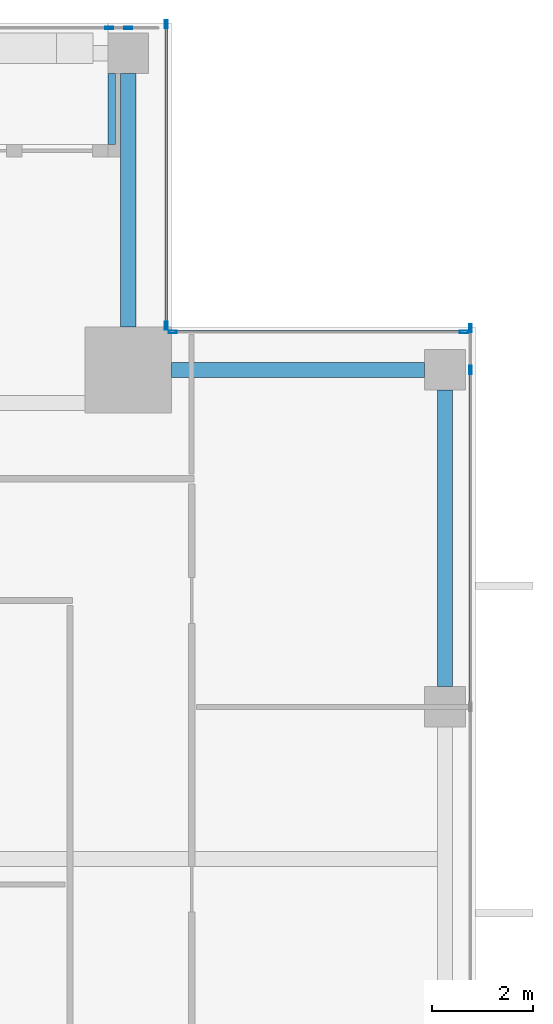
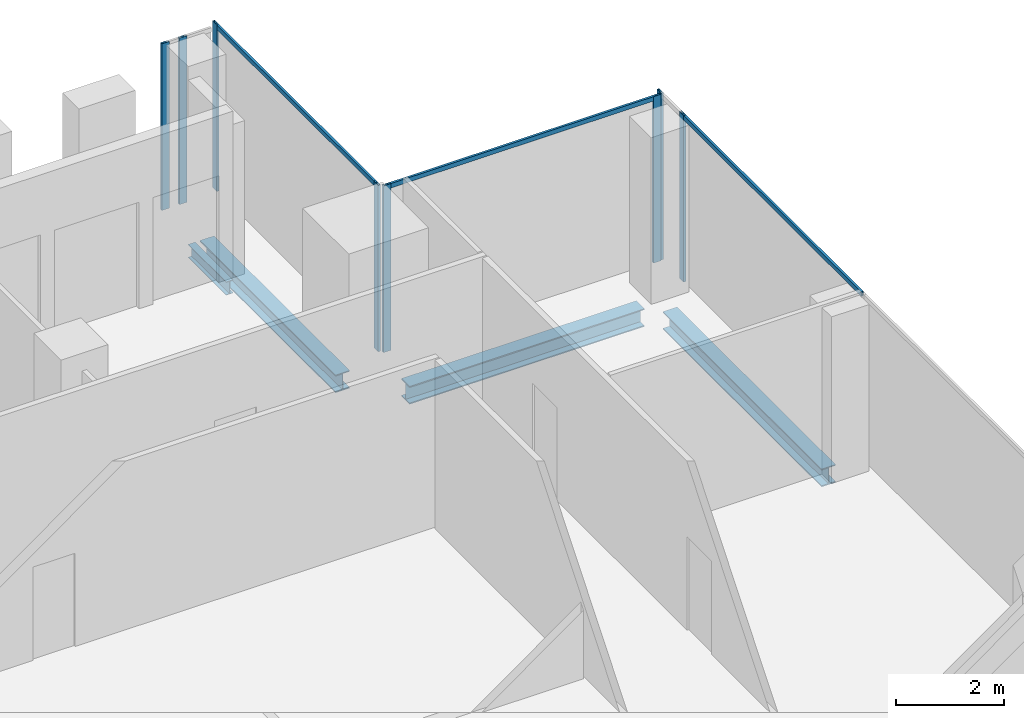
# One storey, part 17 of 29: 11 members, 4 beams, 4 elements without a shape of their own.
"""IFC4 building model written with IfcOpenShell, lengths in metres."""

import ifcopenshell
import ifcopenshell.guid

model = None  # the IFC model being written
_history = None  # IfcOwnerHistory: only IFC2X3 demands one
_inside = {}  # id of a spatial element -> (the spatial element, [elements in it])
_under = {}  # id of a project, library or spatial element -> (it, [spatial elements below it])
_declared = {}  # id of a project -> (the project, [libraries it declares])
_typed = {}  # id of a type object -> (the type object, [elements of that type])
_made_of = {}  # id of a material, layer set ... -> (it, [elements and type objects made of it])


def new_model(schema):
    """Start an empty IFC model of exactly this schema.

    Asked for "IFC4X3", IfcOpenShell would pick the latest addendum, in which some entities
    have other attributes; the version numbers below select the first issue.
    IFC2X3 requires an IfcOwnerHistory on every rooted entity: one is made here for all.
    """
    global model, _history
    if schema == "IFC4X3":
        model = ifcopenshell.file(schema_version=(4, 3, 0, 0))
    else:
        model = ifcopenshell.file(schema=schema)
    _inside.clear()
    _under.clear()
    _declared.clear()
    _typed.clear()
    _made_of.clear()
    _history = None
    if model.schema == "IFC2X3":
        org = make("IfcOrganization", Name="unknown")
        user = make(
            "IfcPersonAndOrganization",
            ThePerson=make("IfcPerson", FamilyName="unknown"),
            TheOrganization=org,
        )
        app = make(
            "IfcApplication",
            ApplicationDeveloper=org,
            Version="unknown",
            ApplicationFullName="unknown",
            ApplicationIdentifier="unknown",
        )
        _history = make(
            "IfcOwnerHistory",
            OwningUser=user,
            OwningApplication=app,
            ChangeAction="ADDED",
            CreationDate=0,
        )
    return model


def make(cls, **values):
    """One entity of the class cls with the attributes given. An attribute that is None is left unset."""
    return model.create_entity(
        cls, **{name: value for name, value in values.items() if value is not None}
    )


def rooted(cls, **values):
    """An entity with a GlobalId (a new one), such as an element, a storey or a relation."""
    return make(cls, GlobalId=ifcopenshell.guid.new(), OwnerHistory=_history, **values)


def si_unit(unit_type, name, prefix=None):
    """IfcSIUnit, for example si_unit("LENGTHUNIT", "METRE", prefix="MILLI")."""
    return make("IfcSIUnit", UnitType=unit_type, Prefix=prefix, Name=name)


def assignment(units):
    """IfcUnitAssignment: the units of a project."""
    return None if units is None else make("IfcUnitAssignment", Units=units)


def point(xyz):
    """IfcCartesianPoint."""
    return None if xyz is None else make("IfcCartesianPoint", Coordinates=xyz)


def direction(xyz):
    """IfcDirection."""
    return None if xyz is None else make("IfcDirection", DirectionRatios=xyz)


def frame(location, z_axis=None, x_axis=None):
    """IfcAxis2Placement3D, a coordinate frame: its origin and axes. An axis left out is left unset."""
    return make(
        "IfcAxis2Placement3D",
        Location=point(location),
        Axis=direction(z_axis),
        RefDirection=direction(x_axis),
    )


def frame_2d(location, x_axis=None):
    """IfcAxis2Placement2D, a coordinate frame in the plane: its origin and x axis."""
    return make(
        "IfcAxis2Placement2D", Location=point(location), RefDirection=direction(x_axis)
    )


def origin():
    """The frame at (0, 0, 0) with its axes left unset."""
    return frame((0.0, 0.0, 0.0))


def origin_2d():
    """The frame at (0, 0) in the plane with its x axis left unset."""
    return frame_2d((0.0, 0.0))


def place(relative_to, where):
    """IfcLocalPlacement: puts the frame where relative to a parent placement (None: the world)."""
    return make(
        "IfcLocalPlacement", PlacementRelTo=relative_to, RelativePlacement=where
    )


def context(
    kind, dimensions, precision=None, world=None, true_north=None, identifier=None
):
    """IfcGeometricRepresentationContext, for example the 3D "Model" context."""
    return make(
        "IfcGeometricRepresentationContext",
        ContextIdentifier=identifier,
        ContextType=kind,
        CoordinateSpaceDimension=dimensions,
        Precision=precision,
        WorldCoordinateSystem=world,
        TrueNorth=true_north,
    )


def subcontext(parent, identifier, kind, view, scale=None):
    """IfcGeometricRepresentationSubContext, for example "Body" below "Model"."""
    return make(
        "IfcGeometricRepresentationSubContext",
        ContextIdentifier=identifier,
        ContextType=kind,
        ParentContext=parent,
        TargetScale=scale,
        TargetView=view,
    )


def project(units=None, contexts=None):
    """IfcProject with its units and contexts."""
    return rooted(
        "IfcProject",
        Name="project",
        RepresentationContexts=contexts,
        UnitsInContext=assignment(units),
    )


def spatial(cls, under=None, at=None, **own):
    """A site, building, storey or space (cls), placed at a placement, below another one or the project."""
    s = rooted(cls, ObjectPlacement=at, **own)
    if under is not None:
        _under.setdefault(under.id(), (under, []))[1].append(s)
    return s


def profile(cls, at=None, kind="AREA", **sizes):
    """A parametric profile (cls). Its sizes go by their IFC names, for example OverallWidth=200.0."""
    return make(cls, ProfileType=kind, Position=at, **sizes)


def hollow_rectangle(**sizes):
    """IfcRectangleHollowProfileDef."""
    return profile("IfcRectangleHollowProfileDef", **sizes)


def i_section(**sizes):
    """IfcIShapeProfileDef."""
    return profile("IfcIShapeProfileDef", **sizes)


def extrude(swept, where, along, depth):
    """IfcExtrudedAreaSolid: the profile swept, set in the frame where, extruded along a direction by depth."""
    return make(
        "IfcExtrudedAreaSolid",
        SweptArea=swept,
        Position=where,
        ExtrudedDirection=direction(along),
        Depth=depth,
    )


def shape(context_of_items, identifier, shape_type, items):
    """IfcShapeRepresentation: the items that make up one representation, for example the "Body"."""
    return make(
        "IfcShapeRepresentation",
        ContextOfItems=context_of_items,
        RepresentationIdentifier=identifier,
        RepresentationType=shape_type,
        Items=items,
    )


def source(mapping_origin, context_of_items, identifier, shape_type, items):
    """IfcRepresentationMap: a shape defined once, which mapped items show again and again."""
    return make(
        "IfcRepresentationMap",
        MappingOrigin=mapping_origin,
        MappedRepresentation=shape(context_of_items, identifier, shape_type, items),
    )


def transform(
    local_origin,
    x_axis=None,
    y_axis=None,
    z_axis=None,
    scale=None,
    scale2=None,
    scale3=None,
    uniform=True,
):
    """IfcCartesianTransformationOperator3D, or its non-uniform kind. x_axis, y_axis, z_axis: its Axis1, 2, 3."""
    if uniform:
        return make(
            "IfcCartesianTransformationOperator3D",
            Axis1=direction(x_axis),
            Axis2=direction(y_axis),
            LocalOrigin=point(local_origin),
            Scale=scale,
            Axis3=direction(z_axis),
        )
    return make(
        "IfcCartesianTransformationOperator3DnonUniform",
        Axis1=direction(x_axis),
        Axis2=direction(y_axis),
        LocalOrigin=point(local_origin),
        Scale=scale,
        Axis3=direction(z_axis),
        Scale2=scale2,
        Scale3=scale3,
    )


def mapped(mapping_source, mapping_target):
    """IfcMappedItem: shows the shape of a source again, moved by a transform."""
    return make(
        "IfcMappedItem", MappingSource=mapping_source, MappingTarget=mapping_target
    )


def material(Name=None, Category=None):
    """IfcMaterial."""
    return make("IfcMaterial", Name=Name, Category=Category)


def material_profile(
    of_material, cross_section, Name=None, Category=None, Priority=None
):
    """IfcMaterialProfile: a cross section and its material."""
    return make(
        "IfcMaterialProfile",
        Name=Name,
        Material=of_material,
        Profile=cross_section,
        Priority=Priority,
        Category=Category,
    )


def profile_set(profiles, Name=None, composite=None):
    """IfcMaterialProfileSet."""
    return make(
        "IfcMaterialProfileSet",
        Name=Name,
        MaterialProfiles=profiles,
        CompositeProfile=composite,
    )


def made_of(thing, what):
    """Note that an element or type object is made of a material, layer set ...; save() writes the relation."""
    if what is not None:
        _made_of.setdefault(what.id(), (what, []))[1].append(thing)
    return thing


def type_object(cls, material=None, **own):
    """A type object (cls), such as IfcWallType, which elements share."""
    return made_of(rooted(cls, **own), material)


def element(
    cls,
    number,
    at=None,
    inside=None,
    cuts=None,
    type_object=None,
    material=None,
    context=None,
    identifier="Body",
    shape_type=None,
    held_by="IfcProductDefinitionShape",
    body=None,
    shapes=None,
    **own,
):
    """One element of the class cls, such as IfcWall. Its Tag is "e" and its number.

    at: its placement. inside: the storey or other place that contains it. cuts: it is an
    opening in that element (IfcRelVoidsElement). A single representation is given by context,
    identifier, shape_type and body (its items); several are given by shapes. held_by: the class
    of the entity that holds the representations. save() writes the other relations.
    """
    e = rooted(cls, Tag="e%d" % number, ObjectPlacement=at, **own)
    if body is not None:
        shapes = [shape(context, identifier, shape_type, body)]
    if shapes is not None:
        e.Representation = make(held_by, Representations=shapes)
    if inside is not None:
        _inside.setdefault(inside.id(), (inside, []))[1].append(e)
    if cuts is not None:
        rooted(
            "IfcRelVoidsElement", RelatingBuildingElement=cuts, RelatedOpeningElement=e
        )
    if type_object is not None:
        _typed.setdefault(type_object.id(), (type_object, []))[1].append(e)
    return made_of(e, material)


def aggregate(whole, parts):
    """IfcRelAggregates: a whole, such as a stair, and the parts it consists of."""
    return rooted("IfcRelAggregates", RelatingObject=whole, RelatedObjects=parts)


def save(model, path):
    """Write the relations noted so far, then the file.

    IfcRelAggregates (storeys below a building ...), IfcRelContainedInSpatialStructure (elements
    in a storey), IfcRelDefinesByType, IfcRelAssociatesMaterial and IfcRelDeclares: one each for
    every whole, place, type object, material and project.
    """
    for whole, parts in _under.values():
        aggregate(whole, parts)
    for where, things in _inside.values():
        rooted(
            "IfcRelContainedInSpatialStructure",
            RelatedElements=things,
            RelatingStructure=where,
        )
    for kind, things in _typed.values():
        rooted("IfcRelDefinesByType", RelatedObjects=things, RelatingType=kind)
    for what, things in _made_of.values():
        rooted("IfcRelAssociatesMaterial", RelatedObjects=things, RelatingMaterial=what)
    for by, libraries in _declared.values():
        rooted("IfcRelDeclares", RelatingContext=by, RelatedDefinitions=libraries)
    model.write(path)


model = new_model("IFC4")

# Units and contexts
model_context = context("Model", 3, precision=1e-05, world=origin(), true_north=direction((0.0, 1.0)))
body_context = subcontext(model_context, "Body", "Model", "MODEL_VIEW")
ifc_project = project(units=[si_unit("LENGTHUNIT", "METRE"), si_unit("AREAUNIT", "SQUARE_METRE"), si_unit("VOLUMEUNIT", "CUBIC_METRE"), si_unit("PLANEANGLEUNIT", "RADIAN"), si_unit("MASSUNIT", "GRAM", prefix="KILO")], contexts=[model_context])

# Site, building, storey
site_placement = place(None, origin())
site = spatial("IfcSite", under=ifc_project, at=site_placement, CompositionType="ELEMENT")
building_placement = place(site_placement, origin())
building = spatial("IfcBuilding", under=site, at=building_placement, Name="Khomas Fold Tower", CompositionType="ELEMENT")
storey_placement = place(building_placement, frame((0.0, 0.0, 286.199951171875)))
storey = spatial("IfcBuildingStorey", under=building, at=storey_placement, Name="L64", CompositionType="ELEMENT", Elevation=286.199951171875)

# Beams
ifc_material_1 = material(Name="Steel S355", Category="steel")
ifc_material_profile_1 = material_profile(ifc_material_1, i_section(OverallWidth=0.300048828125, OverallDepth=0.39990234375, WebThickness=0.013427734375, FlangeThickness=0.02392578125, at=origin_2d()), Name="HE 400 B")
ifc_profile_set_1 = profile_set([ifc_material_profile_1], Name="Steel S355")
beam_type_1 = type_object("IfcBeamType", Name="HE 400 B spandrel SB5", PredefinedType="SPANDREL", material=ifc_profile_set_1)
shared_shape_1 = source(origin(), body_context, "Body", "SweptSolid", [
    extrude(i_section(OverallWidth=0.300048828125, OverallDepth=0.39990234375, WebThickness=0.013427734375, FlangeThickness=0.02392578125, at=origin_2d()), origin(), (0.0, 0.0, 1.0), 5.85009765625),
])
beam_1_placement = place(storey_placement, frame((47.39990234375, 34.89990234375, -0.449951171875), z_axis=(0.0, 1.0, 0.0), x_axis=(-1.0, 0.0, 0.0)))
element("IfcBeam", 1, at=beam_1_placement, inside=storey, type_object=beam_type_1, Name="SB5", PredefinedType="SPANDREL", context=body_context, shape_type="MappedRepresentation", body=[
    mapped(shared_shape_1, transform((0.0, 0.0, 0.0))),
])
shared_shape_2 = source(origin(), body_context, "Body", "SweptSolid", [
    extrude(i_section(OverallWidth=0.300048828125, OverallDepth=0.39990234375, WebThickness=0.013427734375, FlangeThickness=0.02392578125, at=origin_2d()), origin(), (0.0, 0.0, 1.0), 5.0),
])
for number, where, z_axis, x_axis, name in (
    (2, (42.0, 41.14990234375, -0.449951171875), (1.0, 0.0, 0.0), (0.0, 1.0, 0.0), "SB5"),
    (3, (41.14990234375, 42.0, -0.449951171875), (0.0, 1.0, 0.0), (-1.0, 0.0, 0.0), "SB5"),
):
    element("IfcBeam", number, at=place(storey_placement, frame(where, z_axis=z_axis, x_axis=x_axis)), inside=storey, type_object=beam_type_1, Name=name, PredefinedType="SPANDREL", context=body_context, shape_type="MappedRepresentation", body=[
        mapped(shared_shape_2, transform((0.0, 0.0, 0.0))),
    ])
ifc_material_2 = material(Name="Steel S355", Category="steel")
ifc_material_profile_2 = material_profile(ifc_material_2, i_section(OverallWidth=0.14990234375, OverallDepth=0.300048828125, WebThickness=0.007080078125, FlangeThickness=0.0107421875, at=origin_2d()), Name="IPE 300")
ifc_profile_set_2 = profile_set([ifc_material_profile_2], Name="Steel S355")
beam_type_2 = type_object("IfcBeamType", Name="IPE 300 beam BB2", PredefinedType="BEAM", material=ifc_profile_set_2)
shared_shape_3 = source(origin(), body_context, "Body", "SweptSolid", [
    extrude(i_section(OverallWidth=0.14990234375, OverallDepth=0.300048828125, WebThickness=0.007080078125, FlangeThickness=0.0107421875, at=origin_2d()), origin(), (0.0, 0.0, 1.0), 1.39990234375),
])
beam_2_placement = place(storey_placement, frame((40.824951171875, 45.60009765625, -0.39990234375), z_axis=(0.0, 1.0, 0.0), x_axis=(-1.0, 0.0, 0.0)))
element("IfcBeam", 4, at=beam_2_placement, inside=storey, type_object=beam_type_2, Name="BB2", PredefinedType="BEAM", context=body_context, shape_type="MappedRepresentation", body=[
    mapped(shared_shape_3, transform((0.0, 0.0, 0.0))),
])

# Curtain wall, members
ifc_material_3 = material(Name="Aluminium framed double glazing", Category="aluminium")
curtain_wall_type = type_object("IfcCurtainWallType", Name="SK-Unitised clear-glass wall, upper floors CW3", PredefinedType="NOTDEFINED", material=ifc_material_3)
curtain_wall_1_placement = place(storey_placement, origin())
curtain_wall_1 = element("IfcCurtainWall", 5, at=curtain_wall_1_placement, inside=storey, type_object=curtain_wall_type, Name="CW3 run L64 03-1", PredefinedType="NOTDEFINED")
ifc_material_4 = material(Name="Aluminium", Category="aluminium")
ifc_material_profile_3 = material_profile(ifc_material_4, hollow_rectangle(XDim=0.050048828125, YDim=0.159912109375, WallThickness=0.00390625, at=origin_2d()), Name="SK-Unitised clear-glass wall, upper floors mullion CW3-M")
ifc_profile_set_3 = profile_set([ifc_material_profile_3], Name="Aluminium")
member_type_1 = type_object("IfcMemberType", Name="SK-Unitised clear-glass wall, upper floors mullion CW3-M", PredefinedType="MULLION", material=ifc_profile_set_3)
shared_shape_4 = source(origin(), body_context, "Body", "SweptSolid", [
    extrude(hollow_rectangle(XDim=0.050048828125, YDim=0.159912109375, WallThickness=0.00390625, at=origin_2d()), origin(), (0.0, 0.0, 1.0), 3.75),
])
member_1_placement = place(storey_placement, frame((47.89990234375, 41.14990234375, 0.0), z_axis=(0.0, 0.0, 1.0), x_axis=(-1.0, 0.0, 0.0)))
member_1 = element("IfcMember", 6, at=member_1_placement, type_object=member_type_1, Name="CW3 mullion 4", PredefinedType="MULLION", context=body_context, shape_type="MappedRepresentation", body=[
    mapped(shared_shape_4, transform((0.0, 0.0, 0.0))),
])
member_2_placement = place(storey_placement, frame((47.89990234375, 41.97509765625, 0.0), z_axis=(0.0, 0.0, 1.0), x_axis=(-1.0, 0.0, 0.0)))
member_2 = element("IfcMember", 7, at=member_2_placement, type_object=member_type_1, Name="CW3 mullion 5", PredefinedType="MULLION", context=body_context, shape_type="MappedRepresentation", body=[
    mapped(shared_shape_4, transform((0.0, 0.0, 0.0))),
])

curtain_wall_2_placement = place(storey_placement, origin())
curtain_wall_2 = element("IfcCurtainWall", 8, at=curtain_wall_2_placement, inside=storey, type_object=curtain_wall_type, Name="CW3 corner return L64 04", PredefinedType="NOTDEFINED")
member_3_placement = place(storey_placement, frame((47.77490234375, 41.89990234375, 0.0), z_axis=(0.0, 0.0, 1.0), x_axis=(0.0, -1.0, 0.0)))
member_3 = element("IfcMember", 9, at=member_3_placement, type_object=member_type_1, Name="CW3 mullion 1", PredefinedType="MULLION", context=body_context, shape_type="MappedRepresentation", body=[
    mapped(shared_shape_4, transform((0.0, 0.0, 0.0))),
])
member_4_placement = place(storey_placement, frame((42.02490234375, 41.89990234375, 0.0), z_axis=(0.0, 0.0, 1.0), x_axis=(0.0, -1.0, 0.0)))
member_4 = element("IfcMember", 10, at=member_4_placement, type_object=member_type_1, Name="CW3 mullion 2", PredefinedType="MULLION", context=body_context, shape_type="MappedRepresentation", body=[
    mapped(shared_shape_4, transform((0.0, 0.0, 0.0))),
])

curtain_wall_3_placement = place(storey_placement, origin())
curtain_wall_3 = element("IfcCurtainWall", 11, at=curtain_wall_3_placement, inside=storey, type_object=curtain_wall_type, Name="CW3 corner return L64 05", PredefinedType="NOTDEFINED")
member_5_placement = place(storey_placement, frame((41.89990234375, 42.02490234375, 0.0), z_axis=(0.0, 0.0, 1.0), x_axis=(-1.0, 0.0, 0.0)))
member_5 = element("IfcMember", 12, at=member_5_placement, type_object=member_type_1, Name="CW3 mullion 1", PredefinedType="MULLION", context=body_context, shape_type="MappedRepresentation", body=[
    mapped(shared_shape_4, transform((0.0, 0.0, 0.0))),
])
member_6_placement = place(storey_placement, frame((41.89990234375, 47.97509765625, 0.0), z_axis=(0.0, 0.0, 1.0), x_axis=(-1.0, 0.0, 0.0)))
member_6 = element("IfcMember", 13, at=member_6_placement, type_object=member_type_1, Name="CW3 mullion 2", PredefinedType="MULLION", context=body_context, shape_type="MappedRepresentation", body=[
    mapped(shared_shape_4, transform((0.0, 0.0, 0.0))),
])

curtain_wall_4_placement = place(storey_placement, origin())
curtain_wall_4 = element("IfcCurtainWall", 14, at=curtain_wall_4_placement, inside=storey, type_object=curtain_wall_type, Name="CW3 run L64 06-0", PredefinedType="NOTDEFINED")
member_7_placement = place(storey_placement, frame((41.14990234375, 47.89990234375, 0.0), z_axis=(0.0, 0.0, 1.0), x_axis=(0.0, -1.0, 0.0)))
member_7 = element("IfcMember", 15, at=member_7_placement, type_object=member_type_1, Name="CW3 mullion 2", PredefinedType="MULLION", context=body_context, shape_type="MappedRepresentation", body=[
    mapped(shared_shape_4, transform((0.0, 0.0, 0.0))),
])
member_8_placement = place(storey_placement, frame((40.77490234375, 47.89990234375, 0.0), z_axis=(0.0, 0.0, 1.0), x_axis=(0.0, -1.0, 0.0)))
member_8 = element("IfcMember", 16, at=member_8_placement, type_object=member_type_1, Name="CW3 mullion 3", PredefinedType="MULLION", context=body_context, shape_type="MappedRepresentation", body=[
    mapped(shared_shape_4, transform((0.0, 0.0, 0.0))),
])
aggregate(curtain_wall_4, [member_7, member_8])

# Member
ifc_material_5 = material(Name="Aluminium", Category="aluminium")
ifc_material_profile_4 = material_profile(ifc_material_5, hollow_rectangle(XDim=0.050048828125, YDim=0.10009765625, WallThickness=0.00390625, at=origin_2d()), Name="SK-Unitised clear-glass wall, upper floors transom CW3-T")
ifc_profile_set_4 = profile_set([ifc_material_profile_4], Name="Aluminium")
member_type_2 = type_object("IfcMemberType", Name="SK-Unitised clear-glass wall, upper floors transom CW3-T", PredefinedType="USERDEFINED", material=ifc_profile_set_4)
shared_shape_5 = source(origin(), body_context, "Body", "SweptSolid", [
    extrude(hollow_rectangle(XDim=0.050048828125, YDim=0.10009765625, WallThickness=0.00390625, at=origin_2d()), origin(), (0.0, 0.0, 1.0), 6.60009765625),
])
member_9_placement = place(storey_placement, frame((47.89990234375, 34.52490234375, 3.699951171875), z_axis=(0.0, 1.0, 0.0), x_axis=(-1.0, 0.0, 0.0)))
member_9 = element("IfcMember", 17, at=member_9_placement, type_object=member_type_2, Name="CW3 transom 3", ObjectType="TRANSOM", PredefinedType="USERDEFINED", context=body_context, shape_type="MappedRepresentation", body=[
    mapped(shared_shape_5, transform((0.0, 0.0, 0.0))),
])

aggregate(curtain_wall_1, [member_1, member_2, member_9])

shared_shape_6 = source(origin(), body_context, "Body", "SweptSolid", [
    extrude(hollow_rectangle(XDim=0.050048828125, YDim=0.10009765625, WallThickness=0.00390625, at=origin_2d()), origin(), (0.0, 0.0, 1.0), 5.699951171875),
])
member_10_placement = place(storey_placement, frame((47.75, 41.89990234375, 3.699951171875), z_axis=(-1.0, 0.0, 0.0), x_axis=(0.0, -1.0, 0.0)))
member_10 = element("IfcMember", 18, at=member_10_placement, type_object=member_type_2, Name="CW3 transom 1", ObjectType="TRANSOM", PredefinedType="USERDEFINED", context=body_context, shape_type="MappedRepresentation", body=[
    mapped(shared_shape_6, transform((0.0, 0.0, 0.0))),
])

aggregate(curtain_wall_2, [member_3, member_4, member_10])

shared_shape_7 = source(origin(), body_context, "Body", "SweptSolid", [
    extrude(hollow_rectangle(XDim=0.050048828125, YDim=0.10009765625, WallThickness=0.00390625, at=origin_2d()), origin(), (0.0, 0.0, 1.0), 5.89990234375),
])
member_11_placement = place(storey_placement, frame((41.89990234375, 42.050048828125, 3.699951171875), z_axis=(0.0, 1.0, 0.0), x_axis=(-1.0, 0.0, 0.0)))
member_11 = element("IfcMember", 19, at=member_11_placement, type_object=member_type_2, Name="CW3 transom 1", ObjectType="TRANSOM", PredefinedType="USERDEFINED", context=body_context, shape_type="MappedRepresentation", body=[
    mapped(shared_shape_7, transform((0.0, 0.0, 0.0))),
])

aggregate(curtain_wall_3, [member_5, member_6, member_11])

save(model, "model.ifc")
